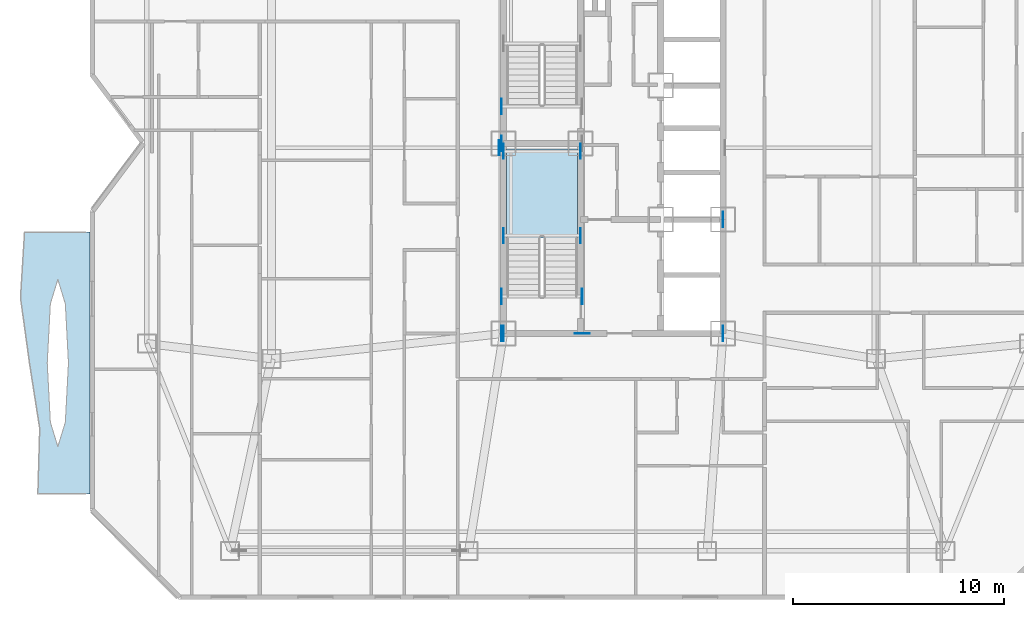
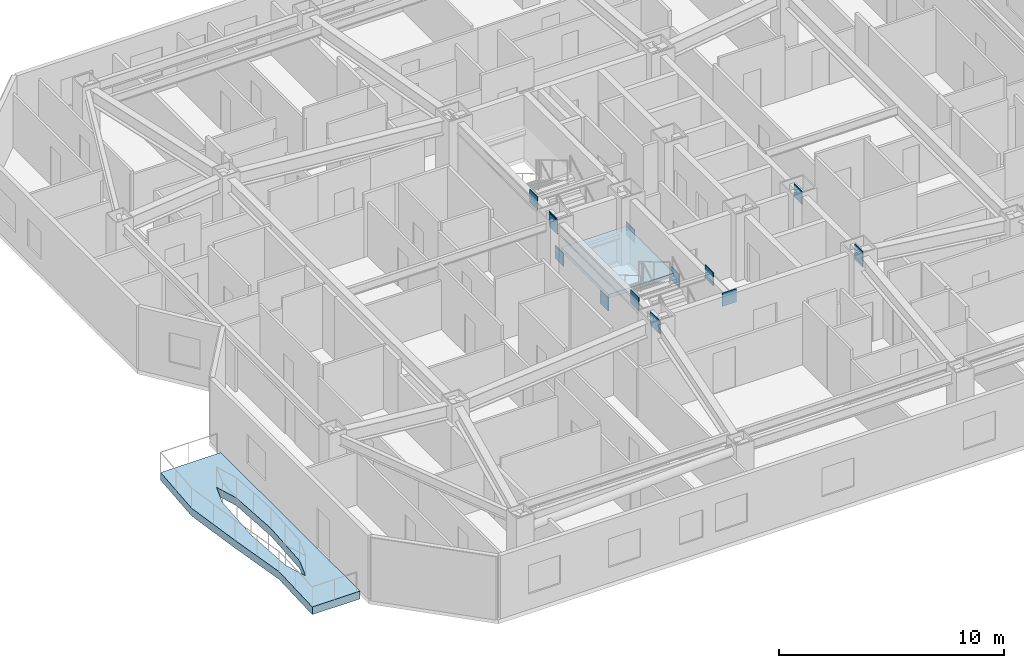
# One storey, part 2 of 16: 15 plates, 2 slabs, 1 element without a shape of its own.
"""IFC4 building model written with IfcOpenShell, lengths in metres."""

from ifc_helpers import new_model, si_unit, direction, frame, origin, origin_2d, place, context, subcontext, project, spatial, polyline, rectangle, outline, extrude, material, layer, layer_set, type_object, element, aggregate, save


model = new_model("IFC4")

# Units and contexts
model_context = context("Model", 3, precision=1e-05, world=origin(), true_north=direction((0.0, 1.0)))
body_context = subcontext(model_context, "Body", "Model", "MODEL_VIEW")
ifc_project = project(units=[si_unit("LENGTHUNIT", "METRE"), si_unit("AREAUNIT", "SQUARE_METRE"), si_unit("VOLUMEUNIT", "CUBIC_METRE"), si_unit("PLANEANGLEUNIT", "RADIAN"), si_unit("MASSUNIT", "GRAM", prefix="KILO")], contexts=[model_context])

# Site, building, storey
site_placement = place(None, origin())
site = spatial("IfcSite", under=ifc_project, at=site_placement, CompositionType="ELEMENT")
building_placement = place(site_placement, origin())
building = spatial("IfcBuilding", under=site, at=building_placement, Name="Khamvora Tower", CompositionType="ELEMENT")
storey_placement = place(building_placement, frame((0.0, 0.0, 134.75)))
storey = spatial("IfcBuildingStorey", under=building, at=storey_placement, Name="L34", CompositionType="ELEMENT", Elevation=134.75)

# Plates
ifc_material_1 = material(Name="Steel S460", Category="steel")
ifc_layer_1 = layer(ifc_material_1, 0.034912109375)
ifc_layer_set_1 = layer_set([ifc_layer_1], Name="Steel S460")
plate_type = type_object("IfcPlateType", Name="PL-EMB-35", PredefinedType="SHEET", material=ifc_layer_set_1)
for number, where, z_axis, x_axis, name in (
    (1, (29.0, 23.635009765625, 1.1337890625), (0.0, 0.0, 1.0), (1.0, 0.0, 0.0), "L34 core shear wall cast-in embed plate 0992"),
    (2, (32.64990234375, 23.635009765625, 1.1337890625), (0.0, 0.0, 1.0), (1.0, 0.0, 0.0), "L34 core shear wall cast-in embed plate 0993"),
    (3, (29.0, 27.6298828125, 1.1337890625), (0.0, 0.0, 1.0), (1.0, 0.0, 0.0), "L34 core shear wall cast-in embed plate 0994"),
    (4, (32.64990234375, 27.6298828125, 1.1337890625), (0.0, 0.0, 1.0), (1.0, 0.0, 0.0), "L34 core shear wall cast-in embed plate 0995"),
    (5, (29.0, 19.0, 2.68310546875), (0.0, 0.0, 1.0), (1.0, 0.0, 0.0), "L34 core shear wall cast-in embed plate 1001"),
    (6, (39.39990234375, 19.0, 2.68310546875), (0.0, 0.0, 1.0), (1.0, 0.0, 0.0), "L34 core shear wall cast-in embed plate 1002"),
    (7, (28.89990234375, 19.0, 2.80322265625), (0.0, 0.0, 1.0), (1.0, 0.0, 0.0), "L34 core shear wall cast-in embed plate 1005"),
    (8, (28.89990234375, 28.0, 2.80322265625), (0.0, 0.0, 1.0), (1.0, 0.0, 0.0), "L34 core shear wall cast-in embed plate 1006"),
):
    element("IfcPlate", number, at=place(storey_placement, frame(where, z_axis=z_axis, x_axis=x_axis)), inside=storey, type_object=plate_type, Name=name, PredefinedType="SHEET", context=body_context, shape_type="SweptSolid", body=[
        extrude(rectangle(XDim=0.034912109375, YDim=0.719970703125, at=origin_2d()), origin(), (0.0, 0.0, 1.0), 0.719970703125),
    ])
plate_placement = place(storey_placement, frame((32.72998046875, 19.0, 2.80322265625), z_axis=(0.0, 0.0, 1.0), x_axis=(1.0, 0.0, 0.0)))
element("IfcPlate", 9, at=plate_placement, inside=storey, type_object=plate_type, Name="L34 core shear wall cast-in embed plate 1008", PredefinedType="SHEET", context=body_context, shape_type="SweptSolid", body=[
    extrude(rectangle(XDim=0.719970703125, YDim=0.034912109375, at=origin_2d()), origin(), (0.0, 0.0, 1.0), 0.719970703125),
])
for number, where, z_axis, x_axis, name in (
    (10, (39.39990234375, 19.0, 2.80322265625), (0.0, 0.0, 1.0), (1.0, 0.0, 0.0), "L34 core shear wall cast-in embed plate 1011"),
    (11, (39.39990234375, 24.39990234375, 2.80322265625), (0.0, 0.0, 1.0), (1.0, 0.0, 0.0), "L34 core shear wall cast-in embed plate 1012"),
    (12, (28.89990234375, 20.75, 2.94384765625), (0.0, 0.0, 1.0), (1.0, 0.0, 0.0), "L34 core shear wall cast-in embed plate 1014"),
    (13, (32.72998046875, 20.75, 2.94384765625), (0.0, 0.0, 1.0), (1.0, 0.0, 0.0), "L34 core shear wall cast-in embed plate 1015"),
    (14, (28.89990234375, 29.75, 2.94384765625), (0.0, 0.0, 1.0), (1.0, 0.0, 0.0), "L34 core shear wall cast-in embed plate 1016"),
    (15, (28.800048828125, 27.800048828125, 2.8408203125), (0.0, 0.0, 1.0), (1.0, 0.0, 0.0), "L34 core shear wall cast-in embed plate 1018"),
):
    element("IfcPlate", number, at=place(storey_placement, frame(where, z_axis=z_axis, x_axis=x_axis)), inside=storey, type_object=plate_type, Name=name, PredefinedType="SHEET", context=body_context, shape_type="SweptSolid", body=[
        extrude(rectangle(XDim=0.034912109375, YDim=0.719970703125, at=origin_2d()), origin(), (0.0, 0.0, 1.0), 0.719970703125),
    ])

# Slab
ifc_material_2 = material(Name="Concrete C40/50", Category="concrete")
ifc_layer_2 = layer(ifc_material_2, 0.419921875)
ifc_layer_set_2 = layer_set([ifc_layer_2], Name="Concrete C40/50")
slab_type_1 = type_object("IfcSlabType", Name="SLB-GRD-420", PredefinedType="FLOOR", material=ifc_layer_set_2)
slab_1_placement = place(storey_placement, frame((0.0, 0.0, -0.419921875)))
element("IfcSlab", 16, at=slab_1_placement, inside=storey, type_object=slab_type_1, Name="L34 external lens gallery slab WL1", PredefinedType="FLOOR", context=body_context, shape_type="SweptSolid", body=[
    extrude(outline(polyline([(9.39990234375, 11.39990234375), (9.39990234375, 23.800048828125), (6.306884765625, 23.800048828125), (6.115966796875, 20.699951171875), (6.5419921875, 17.60009765625), (7.027099609375, 14.5), (6.93701171875, 11.39990234375), (9.39990234375, 11.39990234375)]), holes=[polyline([(8.388916015625, 17.60009765625), (8.240966796875, 20.406005859375), (7.885009765625, 21.568115234375), (7.529052734375, 20.406005859375), (7.381103515625, 17.60009765625), (7.529052734375, 14.7939453125), (7.885009765625, 13.632080078125), (8.240966796875, 14.7939453125), (8.388916015625, 17.60009765625)])]), origin(), (0.0, 0.0, 1.0), 0.419921875),
])

# Stair, slab
stair_type = type_object("IfcStairType", Name="STR-ST-01", PredefinedType="HALF_TURN_STAIR", material=ifc_material_2)
stair_placement = place(storey_placement, origin())
stair = element("IfcStair", 17, at=stair_placement, inside=storey, type_object=stair_type, Name="L34 South Tower Exit Stair ST-01", PredefinedType="HALF_TURN_STAIR")
ifc_layer_3 = layer(ifc_material_2, 0.199951171875)
ifc_layer_set_3 = layer_set([ifc_layer_3], Name="Concrete C40/50")
slab_type_2 = type_object("IfcSlabType", Name="SLB-LND-200", PredefinedType="LANDING", material=ifc_layer_set_3)
slab_2_placement = place(storey_placement, frame((0.0, 0.0, 1.625)))
slab_2 = element("IfcSlab", 18, at=slab_2_placement, type_object=slab_type_2, Name="ST-01 landing 1", PredefinedType="LANDING", context=body_context, shape_type="SweptSolid", body=[
    extrude(outline(polyline([(32.5, 23.514892578125), (32.5, 27.75), (29.14990234375, 27.75), (29.14990234375, 23.514892578125), (32.5, 23.514892578125)])), origin(), (0.0, 0.0, 1.0), 0.199951171875),
])
aggregate(stair, [slab_2])

save(model, "model.ifc")
